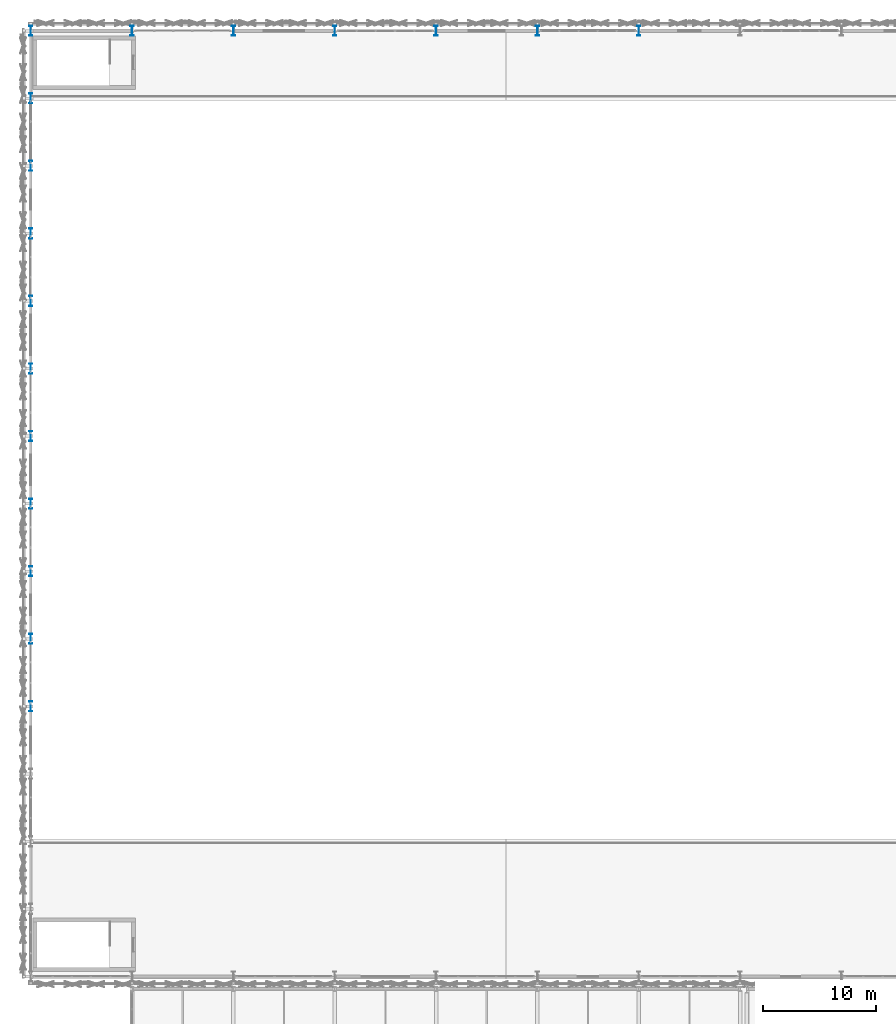
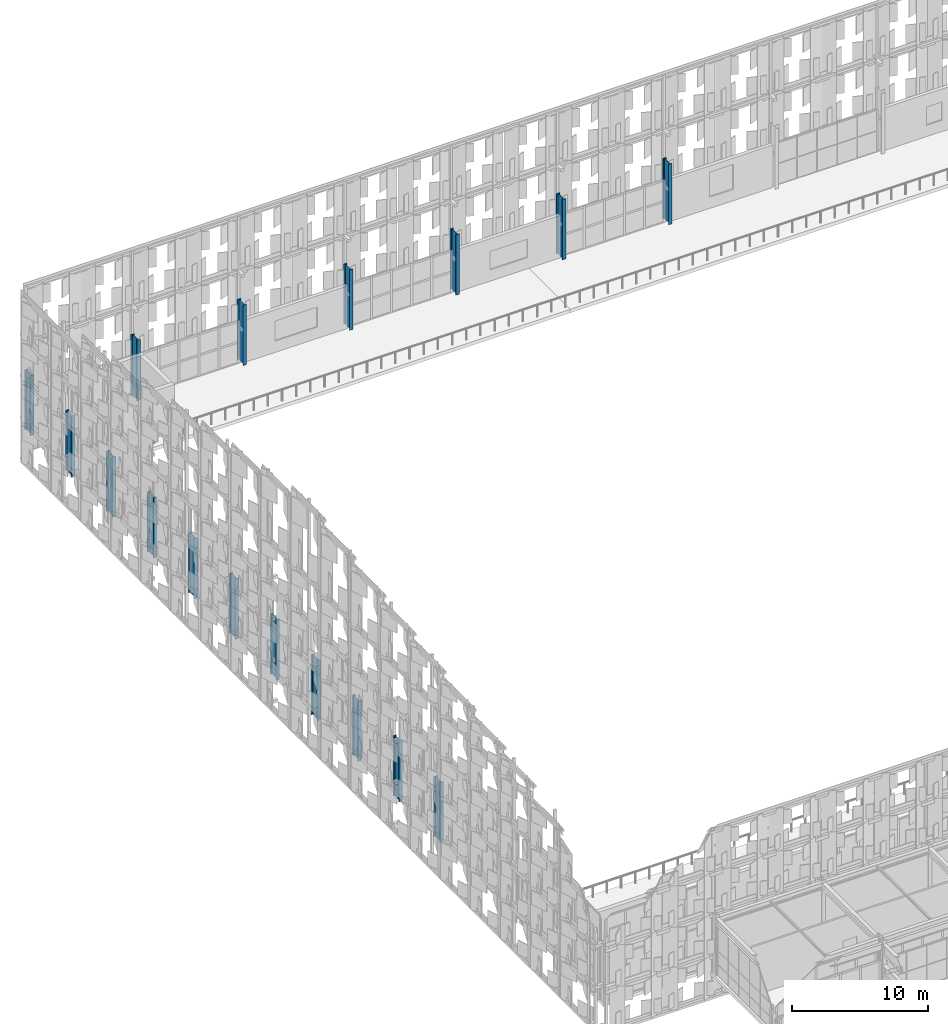
# One storey, part 8 of 210: 17 columns.
"""IFC4 building model written with IfcOpenShell, lengths in metres."""

from ifc_helpers import new_model, si_unit, direction, frame, origin, origin_2d, place, context, subcontext, project, spatial, i_section, extrude, material, material_profile, profile_set, type_object, element, save


model = new_model("IFC4")

# Units and contexts
model_context = context("Model", 3, precision=1e-05, world=origin(), true_north=direction((0.0, 1.0)))
body_context = subcontext(model_context, "Body", "Model", "MODEL_VIEW")
ifc_project = project(units=[si_unit("LENGTHUNIT", "METRE"), si_unit("AREAUNIT", "SQUARE_METRE"), si_unit("VOLUMEUNIT", "CUBIC_METRE"), si_unit("PLANEANGLEUNIT", "RADIAN"), si_unit("MASSUNIT", "GRAM", prefix="KILO")], contexts=[model_context])

# Site, building, storey
site_placement = place(None, origin())
site = spatial("IfcSite", under=ifc_project, at=site_placement, CompositionType="ELEMENT")
building_placement = place(site_placement, origin())
building = spatial("IfcBuilding", under=site, at=building_placement, Name="Kaldris Quays Convention Centre", CompositionType="ELEMENT")
storey_placement = place(building_placement, frame((0.0, 0.0, 6.0)))
storey = spatial("IfcBuildingStorey", under=building, at=storey_placement, Name="L01", CompositionType="ELEMENT", Elevation=6.0)

# Columns
ifc_material = material(Name="Steel S355J2", Category="steel")
ifc_material_profile = material_profile(ifc_material, i_section(OverallWidth=0.300048828125, OverallDepth=0.89990234375, WebThickness=0.0185546875, FlangeThickness=0.034912109375, FilletRadius=0.030029296875, at=origin_2d()), Name="HEB 900")
ifc_profile_set = profile_set([ifc_material_profile], Name="Steel S355J2")
column_type = type_object("IfcColumnType", Name="STRUCTURAL COLUMN CL03", PredefinedType="COLUMN", material=ifc_profile_set)
for number, where, z_axis, x_axis, name in (
    (1, (20.0, 80.0, 0.0), (0.0, 0.0, 1.0), (1.0, 0.0, 0.0), "L01 V1 Column CL03 (20.00, 80.00)"),
    (2, (20.0, 86.0, 0.0), (0.0, 0.0, 1.0), (1.0, 0.0, 0.0), "L01 V1 Column CL03 (20.00, 86.00)"),
    (3, (20.0, 92.0, 0.0), (0.0, 0.0, 1.0), (1.0, 0.0, 0.0), "L01 V1 Column CL03 (20.00, 92.00)"),
    (4, (20.0, 98.0, 0.0), (0.0, 0.0, 1.0), (1.0, 0.0, 0.0), "L01 V1 Column CL03 (20.00, 98.00)"),
    (5, (20.0, 104.0, 0.0), (0.0, 0.0, 1.0), (1.0, 0.0, 0.0), "L01 V1 Column CL03 (20.00, 104.00)"),
    (6, (20.0, 110.0, 0.0), (0.0, 0.0, 1.0), (1.0, 0.0, 0.0), "L01 V1 Column CL03 (20.00, 110.00)"),
    (7, (20.0, 116.0, 0.0), (0.0, 0.0, 1.0), (1.0, 0.0, 0.0), "L01 V1 Column CL03 (20.00, 116.00)"),
    (8, (20.0, 122.0, 0.0), (0.0, 0.0, 1.0), (1.0, 0.0, 0.0), "L01 V1 Column CL03 (20.00, 122.00)"),
    (9, (20.0, 128.0, 0.0), (0.0, 0.0, 1.0), (1.0, 0.0, 0.0), "L01 V1 Column CL03 (20.00, 128.00)"),
    (10, (20.0, 134.0, 0.0), (0.0, 0.0, 1.0), (1.0, 0.0, 0.0), "L01 V1 Column CL03 (20.00, 134.00)"),
    (11, (20.0, 140.0, 0.0), (0.0, 0.0, 1.0), (1.0, 0.0, 0.0), "L01 V1 Column CL03 (20.00, 140.00)"),
    (12, (29.0, 140.0, 0.0), (0.0, 0.0, 1.0), (1.0, 0.0, 0.0), "L01 V1 Column CL03 (29.00, 140.00)"),
    (13, (38.0, 140.0, 0.0), (0.0, 0.0, 1.0), (1.0, 0.0, 0.0), "L01 V1 Column CL03 (38.00, 140.00)"),
    (14, (47.0, 140.0, 0.0), (0.0, 0.0, 1.0), (1.0, 0.0, 0.0), "L01 V1 Column CL03 (47.00, 140.00)"),
    (15, (56.0, 140.0, 0.0), (0.0, 0.0, 1.0), (1.0, 0.0, 0.0), "L01 V1 Column CL03 (56.00, 140.00)"),
    (16, (65.0, 140.0, 0.0), (0.0, 0.0, 1.0), (1.0, 0.0, 0.0), "L01 V1 Column CL03 (65.00, 140.00)"),
    (17, (74.0, 140.0, 0.0), (0.0, 0.0, 1.0), (1.0, 0.0, 0.0), "L01 V1 Column CL03 (74.00, 140.00)"),
):
    element("IfcColumn", number, at=place(storey_placement, frame(where, z_axis=z_axis, x_axis=x_axis)), inside=storey, type_object=column_type, Name=name, PredefinedType="COLUMN", context=body_context, shape_type="SweptSolid", body=[
        extrude(i_section(OverallWidth=0.300048828125, OverallDepth=0.89990234375, WebThickness=0.0185546875, FlangeThickness=0.034912109375, FilletRadius=0.030029296875, at=origin_2d()), origin(), (0.0, 0.0, 1.0), 5.39990234375),
    ])

save(model, "model.ifc")
